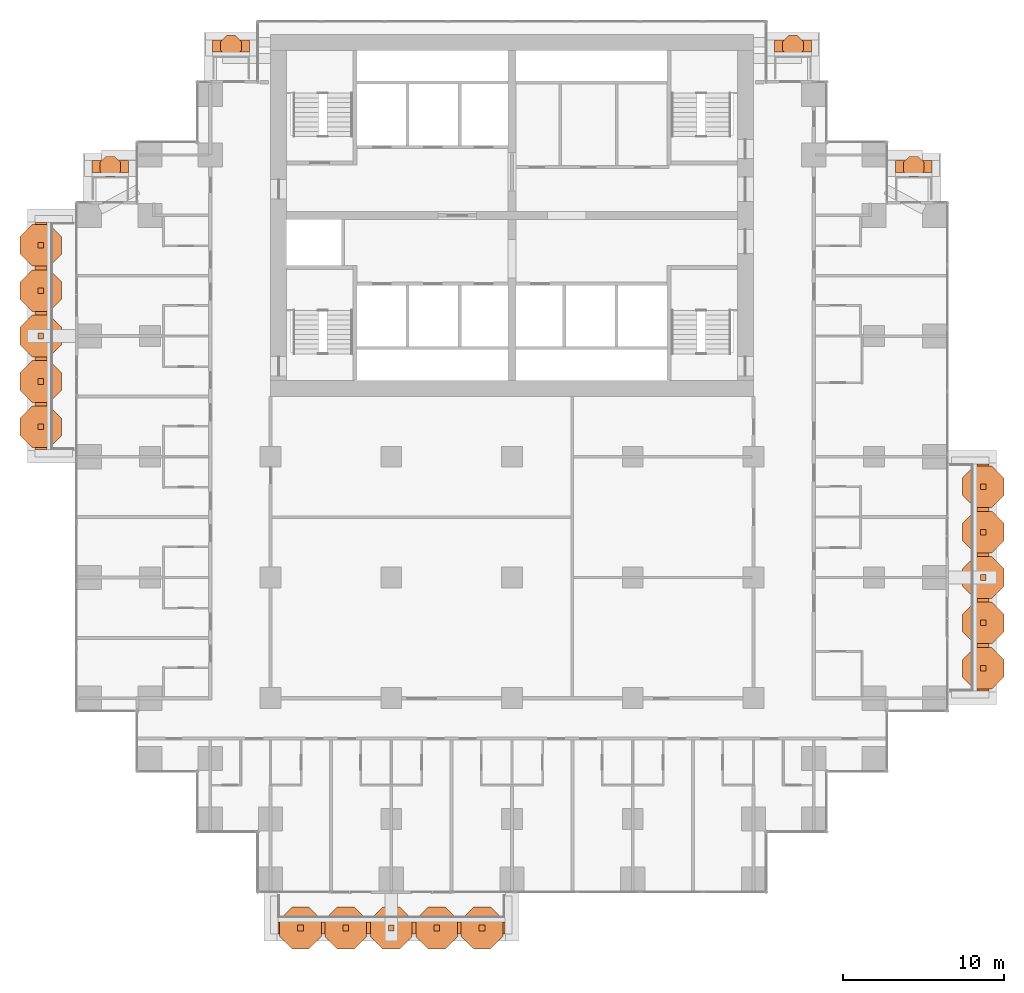
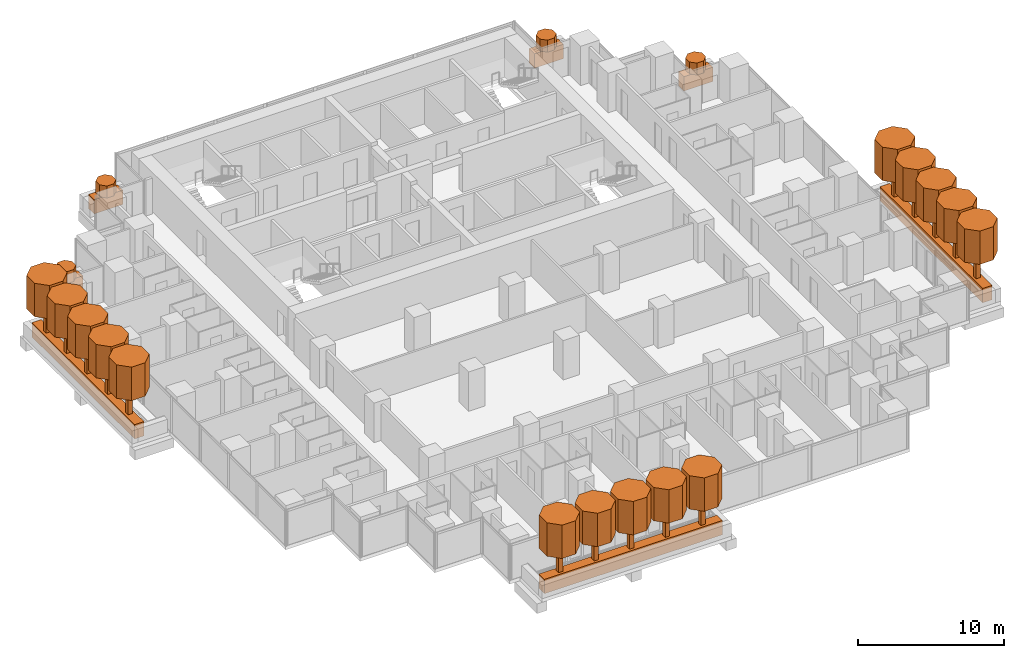
# One storey, part 19 of 19: 41 geographic elements.
"""IFC4 building model written with IfcOpenShell, lengths in metres."""

from ifc_helpers import new_model, si_unit, direction, frame, origin, origin_2d, place, context, subcontext, project, spatial, polyline, rectangle, outline, extrude, material, material_profile, profile_set, type_object, element, save


model = new_model("IFC4")

# Units and contexts
model_context = context("Model", 3, precision=1e-05, world=origin(), true_north=direction((0.0, 1.0)))
body_context = subcontext(model_context, "Body", "Model", "MODEL_VIEW")
ifc_project = project(units=[si_unit("LENGTHUNIT", "METRE"), si_unit("AREAUNIT", "SQUARE_METRE"), si_unit("VOLUMEUNIT", "CUBIC_METRE"), si_unit("PLANEANGLEUNIT", "RADIAN"), si_unit("MASSUNIT", "GRAM", prefix="KILO")], contexts=[model_context])

# Site, building, storey
site_placement = place(None, origin())
site = spatial("IfcSite", under=ifc_project, at=site_placement, CompositionType="ELEMENT")
building_placement = place(site_placement, origin())
building = spatial("IfcBuilding", under=site, at=building_placement, Name="Pilkhan Gate Tower", CompositionType="ELEMENT")
storey_placement = place(building_placement, frame((0.0, 0.0, 62.60009765625)))
storey = spatial("IfcBuildingStorey", under=building, at=storey_placement, Name="L13", CompositionType="ELEMENT", Elevation=62.60009765625)

# Geographic elements
ifc_material_1 = material(Name="Foliage")
ifc_material_profile_1 = material_profile(ifc_material_1, rectangle(XDim=0.75, YDim=1.199951171875, at=origin_2d()), Name="Bed 750x1200")
ifc_profile_set_1 = profile_set([ifc_material_profile_1], Name="Foliage")
geographic_element_type_1 = type_object("IfcGeographicElementType", Name="Planting bed PB1", PredefinedType="USERDEFINED", material=ifc_profile_set_1)
for number, where, z_axis, x_axis, name in (
    (1, (60.449951171875, 38.22509765625, 0.599853515625), (1.0, 0.0, 0.0), (0.0, 1.0, 0.0), "Balcony L13 S planting bed"),
    (2, (104.27490234375, 52.949951171875, 0.599853515625), (0.0, 1.0, 0.0), (-1.0, 0.0, 0.0), "Balcony L13 E planting bed"),
):
    element("IfcGeographicElement", number, at=place(storey_placement, frame(where, z_axis=z_axis, x_axis=x_axis)), inside=storey, type_object=geographic_element_type_1, Name=name, ObjectType="PLANTING BED", PredefinedType="USERDEFINED", context=body_context, shape_type="SweptSolid", body=[
        extrude(rectangle(XDim=0.75, YDim=1.199951171875, at=origin_2d()), origin(), (0.0, 0.0, 1.0), 14.10009765625),
    ])
for number, where, z_axis, x_axis, name in (
    (3, (56.39990234375, 93.02490234375, 0.599853515625), (1.0, 0.0, 0.0), (0.0, 1.0, 0.0), "Balcony L13 N planting bed"),
    (4, (91.300048828125, 93.02490234375, 0.599853515625), (1.0, 0.0, 0.0), (0.0, 1.0, 0.0), "Balcony L13 N planting bed"),
):
    element("IfcGeographicElement", number, at=place(storey_placement, frame(where, z_axis=z_axis, x_axis=x_axis)), inside=storey, type_object=geographic_element_type_1, Name=name, ObjectType="PLANTING BED", PredefinedType="USERDEFINED", context=body_context, shape_type="SweptSolid", body=[
        extrude(rectangle(XDim=0.75, YDim=1.199951171875, at=origin_2d()), origin(), (0.0, 0.0, 1.0), 2.300048828125),
    ])
for number, where, z_axis, x_axis, name in (
    (5, (48.89990234375, 85.52490234375, 0.599853515625), (1.0, 0.0, 0.0), (0.0, 1.0, 0.0), "Balcony L13 N planting bed"),
    (6, (98.820068359375, 85.52490234375, 0.599853515625), (1.0, 0.0, 0.0), (0.0, 1.0, 0.0), "Balcony L13 N planting bed"),
):
    element("IfcGeographicElement", number, at=place(storey_placement, frame(where, z_axis=z_axis, x_axis=x_axis)), inside=storey, type_object=geographic_element_type_1, Name=name, ObjectType="PLANTING BED", PredefinedType="USERDEFINED", context=body_context, shape_type="SweptSolid", body=[
        extrude(rectangle(XDim=0.75, YDim=1.199951171875, at=origin_2d()), origin(), (0.0, 0.0, 1.0), 2.280029296875),
    ])
geographic_element_placement = place(storey_placement, frame((45.72509765625, 67.949951171875, 0.599853515625), z_axis=(0.0, 1.0, 0.0), x_axis=(-1.0, 0.0, 0.0)))
element("IfcGeographicElement", 7, at=geographic_element_placement, inside=storey, type_object=geographic_element_type_1, Name="Balcony L13 W planting bed", ObjectType="PLANTING BED", PredefinedType="USERDEFINED", context=body_context, shape_type="SweptSolid", body=[
    extrude(rectangle(XDim=0.75, YDim=1.199951171875, at=origin_2d()), origin(), (0.0, 0.0, 1.0), 14.10009765625),
])
ifc_material_profile_2 = material_profile(ifc_material_1, outline(polyline([(0.646728515625, 0.267822265625), (0.267822265625, 0.646728515625), (-0.267822265625, 0.646728515625), (-0.646728515625, 0.267822265625), (-0.646728515625, -0.267822265625), (-0.267822265625, -0.646728515625), (0.267822265625, -0.646728515625), (0.646728515625, -0.267822265625), (0.646728515625, 0.267822265625)])), Name="Shrub D1.4")
ifc_profile_set_2 = profile_set([ifc_material_profile_2], Name="Foliage")
geographic_element_type_2 = type_object("IfcGeographicElementType", Name="Shrub SH07", PredefinedType="USERDEFINED", material=ifc_profile_set_2)
for number, where, z_axis, x_axis, name in (
    (8, (57.550048828125, 93.02490234375, 1.199951171875), (0.0, 0.0, 1.0), (1.0, 0.0, 0.0), "Shrub L13 N 1"),
    (9, (92.449951171875, 93.02490234375, 1.199951171875), (0.0, 0.0, 1.0), (1.0, 0.0, 0.0), "Shrub L13 N 1"),
    (10, (50.0400390625, 85.52490234375, 1.199951171875), (0.0, 0.0, 1.0), (1.0, 0.0, 0.0), "Shrub L13 N 1"),
    (11, (99.9599609375, 85.52490234375, 1.199951171875), (0.0, 0.0, 1.0), (1.0, 0.0, 0.0), "Shrub L13 N 1"),
):
    element("IfcGeographicElement", number, at=place(storey_placement, frame(where, z_axis=z_axis, x_axis=x_axis)), inside=storey, type_object=geographic_element_type_2, Name=name, ObjectType="SHRUB", PredefinedType="USERDEFINED", context=body_context, shape_type="SweptSolid", body=[
        extrude(outline(polyline([(0.646728515625, 0.267822265625), (0.267822265625, 0.646728515625), (-0.267822265625, 0.646728515625), (-0.646728515625, 0.267822265625), (-0.646728515625, -0.267822265625), (-0.267822265625, -0.646728515625), (0.267822265625, -0.646728515625), (0.646728515625, -0.267822265625), (0.646728515625, 0.267822265625)])), origin(), (0.0, 0.0, 1.0), 1.0),
    ])
ifc_material_profile_3 = material_profile(ifc_material_1, outline(polyline([(1.29345703125, 0.535888671875), (0.535888671875, 1.29345703125), (-0.535888671875, 1.29345703125), (-1.29345703125, 0.535888671875), (-1.29345703125, -0.535888671875), (-0.535888671875, -1.29345703125), (0.535888671875, -1.29345703125), (1.29345703125, -0.535888671875), (1.29345703125, 0.535888671875)])), Name="Canopy D2.8")
ifc_profile_set_3 = profile_set([ifc_material_profile_3], Name="Foliage")
geographic_element_type_3 = type_object("IfcGeographicElementType", Name="Tree canopy TC14", PredefinedType="USERDEFINED", material=ifc_profile_set_3)
for number, where, z_axis, x_axis, name in (
    (12, (61.860107421875, 38.22509765625, 3.199951171875), (0.0, 0.0, 1.0), (1.0, 0.0, 0.0), "Tree L13 S 1 canopy"),
    (13, (64.679931640625, 38.22509765625, 3.199951171875), (0.0, 0.0, 1.0), (1.0, 0.0, 0.0), "Tree L13 S 2 canopy"),
    (14, (67.5, 38.22509765625, 3.199951171875), (0.0, 0.0, 1.0), (1.0, 0.0, 0.0), "Tree L13 S 3 canopy"),
    (15, (70.320068359375, 38.22509765625, 3.199951171875), (0.0, 0.0, 1.0), (1.0, 0.0, 0.0), "Tree L13 S 4 canopy"),
    (16, (73.139892578125, 38.22509765625, 3.199951171875), (0.0, 0.0, 1.0), (1.0, 0.0, 0.0), "Tree L13 S 5 canopy"),
    (17, (104.27490234375, 54.360107421875, 3.199951171875), (0.0, 0.0, 1.0), (1.0, 0.0, 0.0), "Tree L13 E 1 canopy"),
    (18, (104.27490234375, 57.179931640625, 3.199951171875), (0.0, 0.0, 1.0), (1.0, 0.0, 0.0), "Tree L13 E 2 canopy"),
    (19, (104.27490234375, 60.0, 3.199951171875), (0.0, 0.0, 1.0), (1.0, 0.0, 0.0), "Tree L13 E 3 canopy"),
    (20, (104.27490234375, 62.820068359375, 3.199951171875), (0.0, 0.0, 1.0), (1.0, 0.0, 0.0), "Tree L13 E 4 canopy"),
    (21, (104.27490234375, 65.639892578125, 3.199951171875), (0.0, 0.0, 1.0), (1.0, 0.0, 0.0), "Tree L13 E 5 canopy"),
    (22, (45.72509765625, 69.360107421875, 3.199951171875), (0.0, 0.0, 1.0), (1.0, 0.0, 0.0), "Tree L13 W 1 canopy"),
    (23, (45.72509765625, 72.179931640625, 3.199951171875), (0.0, 0.0, 1.0), (1.0, 0.0, 0.0), "Tree L13 W 2 canopy"),
    (24, (45.72509765625, 75.0, 3.199951171875), (0.0, 0.0, 1.0), (1.0, 0.0, 0.0), "Tree L13 W 3 canopy"),
    (25, (45.72509765625, 77.820068359375, 3.199951171875), (0.0, 0.0, 1.0), (1.0, 0.0, 0.0), "Tree L13 W 4 canopy"),
    (26, (45.72509765625, 80.639892578125, 3.199951171875), (0.0, 0.0, 1.0), (1.0, 0.0, 0.0), "Tree L13 W 5 canopy"),
):
    element("IfcGeographicElement", number, at=place(storey_placement, frame(where, z_axis=z_axis, x_axis=x_axis)), inside=storey, type_object=geographic_element_type_3, Name=name, ObjectType="TREE", PredefinedType="USERDEFINED", context=body_context, shape_type="SweptSolid", body=[
        extrude(outline(polyline([(1.29345703125, 0.535888671875), (0.535888671875, 1.29345703125), (-0.535888671875, 1.29345703125), (-1.29345703125, 0.535888671875), (-1.29345703125, -0.535888671875), (-0.535888671875, -1.29345703125), (0.535888671875, -1.29345703125), (1.29345703125, -0.535888671875), (1.29345703125, 0.535888671875)])), origin(), (0.0, 0.0, 1.0), 2.800048828125),
    ])
ifc_material_2 = material(Name="Timber trunk", Category="wood")
geographic_element_type_4 = type_object("IfcGeographicElementType", Name="Tree trunk TT1", PredefinedType="USERDEFINED", material=ifc_material_2)
for number, where, z_axis, x_axis, name in (
    (27, (61.860107421875, 38.22509765625, 1.199951171875), (0.0, 0.0, 1.0), (1.0, 0.0, 0.0), "Tree L13 S 1 trunk"),
    (28, (64.679931640625, 38.22509765625, 1.199951171875), (0.0, 0.0, 1.0), (1.0, 0.0, 0.0), "Tree L13 S 2 trunk"),
    (29, (67.5, 38.22509765625, 1.199951171875), (0.0, 0.0, 1.0), (1.0, 0.0, 0.0), "Tree L13 S 3 trunk"),
    (30, (70.320068359375, 38.22509765625, 1.199951171875), (0.0, 0.0, 1.0), (1.0, 0.0, 0.0), "Tree L13 S 4 trunk"),
    (31, (73.139892578125, 38.22509765625, 1.199951171875), (0.0, 0.0, 1.0), (1.0, 0.0, 0.0), "Tree L13 S 5 trunk"),
    (32, (104.27490234375, 54.360107421875, 1.199951171875), (0.0, 0.0, 1.0), (1.0, 0.0, 0.0), "Tree L13 E 1 trunk"),
    (33, (104.27490234375, 57.179931640625, 1.199951171875), (0.0, 0.0, 1.0), (1.0, 0.0, 0.0), "Tree L13 E 2 trunk"),
    (34, (104.27490234375, 60.0, 1.199951171875), (0.0, 0.0, 1.0), (1.0, 0.0, 0.0), "Tree L13 E 3 trunk"),
    (35, (104.27490234375, 62.820068359375, 1.199951171875), (0.0, 0.0, 1.0), (1.0, 0.0, 0.0), "Tree L13 E 4 trunk"),
    (36, (104.27490234375, 65.639892578125, 1.199951171875), (0.0, 0.0, 1.0), (1.0, 0.0, 0.0), "Tree L13 E 5 trunk"),
    (37, (45.72509765625, 69.360107421875, 1.199951171875), (0.0, 0.0, 1.0), (1.0, 0.0, 0.0), "Tree L13 W 1 trunk"),
    (38, (45.72509765625, 72.179931640625, 1.199951171875), (0.0, 0.0, 1.0), (1.0, 0.0, 0.0), "Tree L13 W 2 trunk"),
    (39, (45.72509765625, 75.0, 1.199951171875), (0.0, 0.0, 1.0), (1.0, 0.0, 0.0), "Tree L13 W 3 trunk"),
    (40, (45.72509765625, 77.820068359375, 1.199951171875), (0.0, 0.0, 1.0), (1.0, 0.0, 0.0), "Tree L13 W 4 trunk"),
    (41, (45.72509765625, 80.639892578125, 1.199951171875), (0.0, 0.0, 1.0), (1.0, 0.0, 0.0), "Tree L13 W 5 trunk"),
):
    element("IfcGeographicElement", number, at=place(storey_placement, frame(where, z_axis=z_axis, x_axis=x_axis)), inside=storey, type_object=geographic_element_type_4, Name=name, ObjectType="TREE", PredefinedType="USERDEFINED", context=body_context, shape_type="SweptSolid", body=[
        extrude(rectangle(XDim=0.35009765625, YDim=0.35009765625, at=origin_2d()), origin(), (0.0, 0.0, 1.0), 2.0),
    ])

save(model, "model.ifc")
